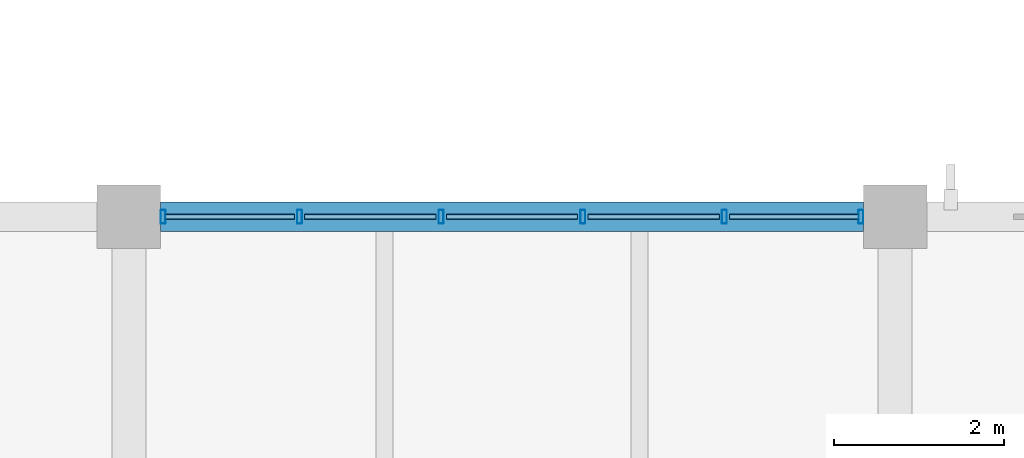
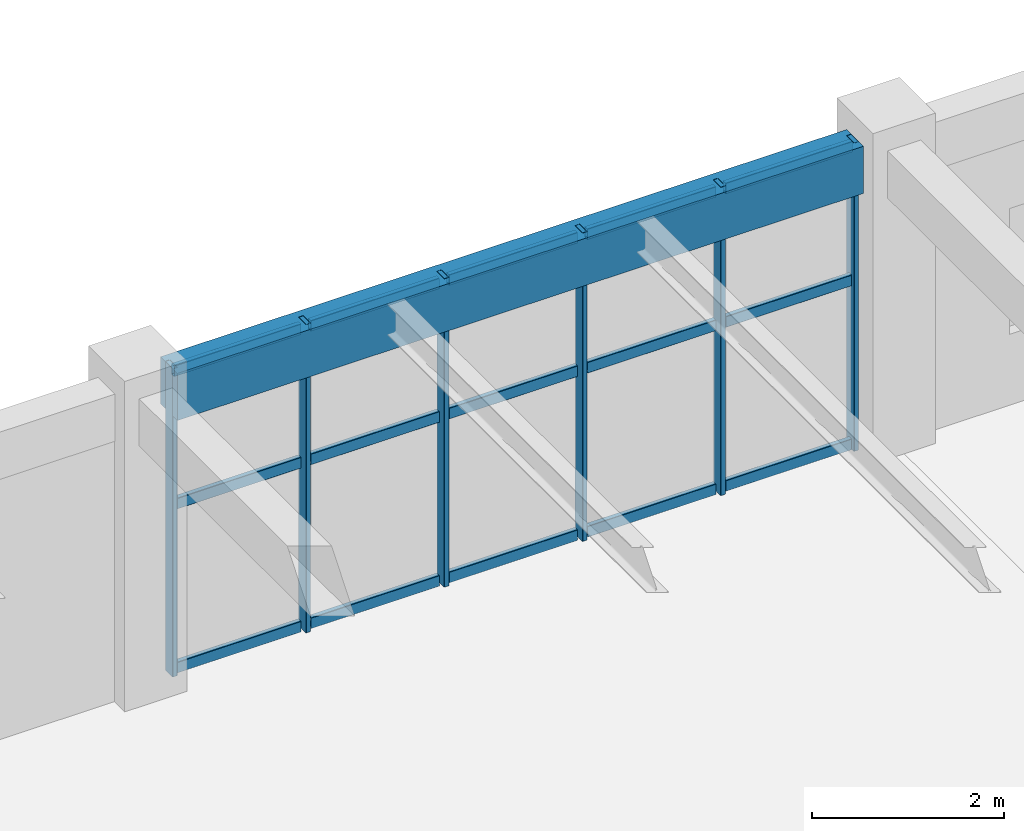
# One storey, part 110 of 148: 21 members, 1 beam, 1 element without a shape of its own.
"""IFC4 building model written with IfcOpenShell, lengths in metres."""

from ifc_helpers import new_model, si_unit, derived_unit, direction, frame, origin, origin_2d, place, context, subcontext, project, spatial, rectangle, hollow_rectangle, extrude, material, material_profile, profile_set, type_object, element, aggregate, save


model = new_model("IFC4")

# Units and contexts
model_context = context("Model", 3, precision=1e-05, world=origin(), true_north=direction((0.0, 1.0)))
body_context = subcontext(model_context, "Body", "Model", "MODEL_VIEW")
ifc_project = project(units=[si_unit("LENGTHUNIT", "METRE"), si_unit("AREAUNIT", "SQUARE_METRE"), si_unit("VOLUMEUNIT", "CUBIC_METRE"), si_unit("PLANEANGLEUNIT", "RADIAN"), si_unit("MASSUNIT", "GRAM", prefix="KILO"), derived_unit("THERMALTRANSMITTANCEUNIT", [(si_unit("MASSUNIT", "GRAM", prefix="KILO"), 1), (si_unit("TIMEUNIT", "SECOND"), -3), (si_unit("THERMODYNAMICTEMPERATUREUNIT", "KELVIN"), -1)])], contexts=[model_context])

# Site, building, storey
site_placement = place(None, origin())
site = spatial("IfcSite", under=ifc_project, at=site_placement, CompositionType="ELEMENT")
building_placement = place(site_placement, origin())
building = spatial("IfcBuilding", under=site, at=building_placement, Name="Zhenchuan Archway Interchange", CompositionType="ELEMENT")
storey_placement = place(building_placement, frame((0.0, 0.0, 10.199951171875)))
storey = spatial("IfcBuildingStorey", under=building, at=storey_placement, Name="L02", CompositionType="ELEMENT", Elevation=10.199951171875)

# Curtain wall, members
ifc_material_1 = material(Name="Anodised Aluminium", Category="aluminium")
curtain_wall_type = type_object("IfcCurtainWallType", Name="CW_UNIT_2", PredefinedType="NOTDEFINED", material=ifc_material_1)
curtain_wall_placement = place(storey_placement, origin())
curtain_wall = element("IfcCurtainWall", 1, at=curtain_wall_placement, inside=storey, type_object=curtain_wall_type, Name="Unitised curtain wall CW:L02:149", PredefinedType="NOTDEFINED")
ifc_material_profile_1 = material_profile(ifc_material_1, hollow_rectangle(XDim=0.06005859375, YDim=0.159912109375, WallThickness=0.00390625, InnerFilletRadius=0.00390625, OuterFilletRadius=0.008056640625, at=origin_2d()), Name="ALU 160x60x4")
ifc_profile_set_1 = profile_set([ifc_material_profile_1], Name="Anodised Aluminium")
member_type_1 = type_object("IfcMemberType", Name="CW_MUL_150", PredefinedType="MULLION", material=ifc_profile_set_1)
member_1_placement = place(storey_placement, frame((135.403076171875, 104.0, 0.0), z_axis=(0.0, 0.0, 1.0), x_axis=(1.0, 0.0, 0.0)))
member_1 = element("IfcMember", 2, at=member_1_placement, type_object=member_type_1, Name="CW:L02:149 mullion 0", PredefinedType="MULLION", context=body_context, shape_type="SweptSolid", body=[
    extrude(hollow_rectangle(XDim=0.06005859375, YDim=0.159912109375, WallThickness=0.00390625, InnerFilletRadius=0.00390625, OuterFilletRadius=0.008056640625, at=origin_2d()), origin(), (0.0, 0.0, 1.0), 3.920166015625),
])
member_2_placement = place(storey_placement, frame((137.005859375, 104.0, 0.0), z_axis=(0.0, 0.0, 1.0), x_axis=(1.0, 0.0, 0.0)))
member_2 = element("IfcMember", 3, at=member_2_placement, type_object=member_type_1, Name="CW:L02:149 mullion 1", PredefinedType="MULLION", context=body_context, shape_type="SweptSolid", body=[
    extrude(hollow_rectangle(XDim=0.06005859375, YDim=0.159912109375, WallThickness=0.00390625, InnerFilletRadius=0.00390625, OuterFilletRadius=0.008056640625, at=origin_2d()), origin(), (0.0, 0.0, 1.0), 3.920166015625),
])
member_3_placement = place(storey_placement, frame((138.668701171875, 104.0, 0.0), z_axis=(0.0, 0.0, 1.0), x_axis=(1.0, 0.0, 0.0)))
member_3 = element("IfcMember", 4, at=member_3_placement, type_object=member_type_1, Name="CW:L02:149 mullion 2", PredefinedType="MULLION", context=body_context, shape_type="SweptSolid", body=[
    extrude(hollow_rectangle(XDim=0.06005859375, YDim=0.159912109375, WallThickness=0.00390625, InnerFilletRadius=0.00390625, OuterFilletRadius=0.008056640625, at=origin_2d()), origin(), (0.0, 0.0, 1.0), 3.920166015625),
])
member_4_placement = place(storey_placement, frame((140.331298828125, 104.0, 0.0), z_axis=(0.0, 0.0, 1.0), x_axis=(1.0, 0.0, 0.0)))
member_4 = element("IfcMember", 5, at=member_4_placement, type_object=member_type_1, Name="CW:L02:149 mullion 3", PredefinedType="MULLION", context=body_context, shape_type="SweptSolid", body=[
    extrude(hollow_rectangle(XDim=0.06005859375, YDim=0.159912109375, WallThickness=0.00390625, InnerFilletRadius=0.00390625, OuterFilletRadius=0.008056640625, at=origin_2d()), origin(), (0.0, 0.0, 1.0), 3.920166015625),
])
member_5_placement = place(storey_placement, frame((141.994140625, 104.0, 0.0), z_axis=(0.0, 0.0, 1.0), x_axis=(1.0, 0.0, 0.0)))
member_5 = element("IfcMember", 6, at=member_5_placement, type_object=member_type_1, Name="CW:L02:149 mullion 4", PredefinedType="MULLION", context=body_context, shape_type="SweptSolid", body=[
    extrude(hollow_rectangle(XDim=0.06005859375, YDim=0.159912109375, WallThickness=0.00390625, InnerFilletRadius=0.00390625, OuterFilletRadius=0.008056640625, at=origin_2d()), origin(), (0.0, 0.0, 1.0), 3.920166015625),
])
member_6_placement = place(storey_placement, frame((143.596923828125, 104.0, 0.0), z_axis=(0.0, 0.0, 1.0), x_axis=(1.0, 0.0, 0.0)))
member_6 = element("IfcMember", 7, at=member_6_placement, type_object=member_type_1, Name="CW:L02:149 mullion 5", PredefinedType="MULLION", context=body_context, shape_type="SweptSolid", body=[
    extrude(hollow_rectangle(XDim=0.06005859375, YDim=0.159912109375, WallThickness=0.00390625, InnerFilletRadius=0.00390625, OuterFilletRadius=0.008056640625, at=origin_2d()), origin(), (0.0, 0.0, 1.0), 3.920166015625),
])
ifc_material_profile_2 = material_profile(ifc_material_1, hollow_rectangle(XDim=0.06005859375, YDim=0.139892578125, WallThickness=0.00341796875, InnerFilletRadius=0.00341796875, OuterFilletRadius=0.007080078125, at=origin_2d()), Name="ALU 140x60x3.5")
ifc_profile_set_2 = profile_set([ifc_material_profile_2], Name="Anodised Aluminium")
member_type_2 = type_object("IfcMemberType", Name="CW_TRN_140", PredefinedType="USERDEFINED", material=ifc_profile_set_2)
member_7_placement = place(storey_placement, frame((135.423095703125, 104.0, 0.06005859375), z_axis=(1.0, 0.0, 0.0), x_axis=(0.0, 1.0, 0.0)))
member_7 = element("IfcMember", 8, at=member_7_placement, type_object=member_type_2, Name="CW:L02:149 transom 0-1", ObjectType="TRANSOM", PredefinedType="USERDEFINED", context=body_context, shape_type="SweptSolid", body=[
    extrude(hollow_rectangle(XDim=0.06005859375, YDim=0.139892578125, WallThickness=0.00341796875, InnerFilletRadius=0.00341796875, OuterFilletRadius=0.007080078125, at=origin_2d()), origin(), (0.0, 0.0, 1.0), 1.522705078125),
])
member_8_placement = place(storey_placement, frame((135.423095703125, 104.0, 2.14501953125), z_axis=(1.0, 0.0, 0.0), x_axis=(0.0, 1.0, 0.0)))
member_8 = element("IfcMember", 9, at=member_8_placement, type_object=member_type_2, Name="CW:L02:149 transom 0-2", ObjectType="TRANSOM", PredefinedType="USERDEFINED", context=body_context, shape_type="SweptSolid", body=[
    extrude(hollow_rectangle(XDim=0.06005859375, YDim=0.139892578125, WallThickness=0.00341796875, InnerFilletRadius=0.00341796875, OuterFilletRadius=0.007080078125, at=origin_2d()), origin(), (0.0, 0.0, 1.0), 1.522705078125),
])
member_9_placement = place(storey_placement, frame((135.423095703125, 104.0, 3.840087890625), z_axis=(1.0, 0.0, 0.0), x_axis=(0.0, 1.0, 0.0)))
member_9 = element("IfcMember", 10, at=member_9_placement, type_object=member_type_2, Name="CW:L02:149 transom 0-3", ObjectType="TRANSOM", PredefinedType="USERDEFINED", context=body_context, shape_type="SweptSolid", body=[
    extrude(hollow_rectangle(XDim=0.06005859375, YDim=0.139892578125, WallThickness=0.00341796875, InnerFilletRadius=0.00341796875, OuterFilletRadius=0.007080078125, at=origin_2d()), origin(), (0.0, 0.0, 1.0), 1.522705078125),
])
member_10_placement = place(storey_placement, frame((137.06591796875, 104.0, 0.06005859375), z_axis=(1.0, 0.0, 0.0), x_axis=(0.0, 1.0, 0.0)))
member_10 = element("IfcMember", 11, at=member_10_placement, type_object=member_type_2, Name="CW:L02:149 transom 1-1", ObjectType="TRANSOM", PredefinedType="USERDEFINED", context=body_context, shape_type="SweptSolid", body=[
    extrude(hollow_rectangle(XDim=0.06005859375, YDim=0.139892578125, WallThickness=0.00341796875, InnerFilletRadius=0.00341796875, OuterFilletRadius=0.007080078125, at=origin_2d()), origin(), (0.0, 0.0, 1.0), 1.542724609375),
])
member_11_placement = place(storey_placement, frame((137.06591796875, 104.0, 2.14501953125), z_axis=(1.0, 0.0, 0.0), x_axis=(0.0, 1.0, 0.0)))
member_11 = element("IfcMember", 12, at=member_11_placement, type_object=member_type_2, Name="CW:L02:149 transom 1-2", ObjectType="TRANSOM", PredefinedType="USERDEFINED", context=body_context, shape_type="SweptSolid", body=[
    extrude(hollow_rectangle(XDim=0.06005859375, YDim=0.139892578125, WallThickness=0.00341796875, InnerFilletRadius=0.00341796875, OuterFilletRadius=0.007080078125, at=origin_2d()), origin(), (0.0, 0.0, 1.0), 1.542724609375),
])
member_12_placement = place(storey_placement, frame((137.06591796875, 104.0, 3.840087890625), z_axis=(1.0, 0.0, 0.0), x_axis=(0.0, 1.0, 0.0)))
member_12 = element("IfcMember", 13, at=member_12_placement, type_object=member_type_2, Name="CW:L02:149 transom 1-3", ObjectType="TRANSOM", PredefinedType="USERDEFINED", context=body_context, shape_type="SweptSolid", body=[
    extrude(hollow_rectangle(XDim=0.06005859375, YDim=0.139892578125, WallThickness=0.00341796875, InnerFilletRadius=0.00341796875, OuterFilletRadius=0.007080078125, at=origin_2d()), origin(), (0.0, 0.0, 1.0), 1.542724609375),
])
member_13_placement = place(storey_placement, frame((138.728515625, 104.0, 0.06005859375), z_axis=(1.0, 0.0, 0.0), x_axis=(0.0, 1.0, 0.0)))
member_13 = element("IfcMember", 14, at=member_13_placement, type_object=member_type_2, Name="CW:L02:149 transom 2-1", ObjectType="TRANSOM", PredefinedType="USERDEFINED", context=body_context, shape_type="SweptSolid", body=[
    extrude(hollow_rectangle(XDim=0.06005859375, YDim=0.139892578125, WallThickness=0.00341796875, InnerFilletRadius=0.00341796875, OuterFilletRadius=0.007080078125, at=origin_2d()), origin(), (0.0, 0.0, 1.0), 1.54296875),
])
member_14_placement = place(storey_placement, frame((138.728515625, 104.0, 2.14501953125), z_axis=(1.0, 0.0, 0.0), x_axis=(0.0, 1.0, 0.0)))
member_14 = element("IfcMember", 15, at=member_14_placement, type_object=member_type_2, Name="CW:L02:149 transom 2-2", ObjectType="TRANSOM", PredefinedType="USERDEFINED", context=body_context, shape_type="SweptSolid", body=[
    extrude(hollow_rectangle(XDim=0.06005859375, YDim=0.139892578125, WallThickness=0.00341796875, InnerFilletRadius=0.00341796875, OuterFilletRadius=0.007080078125, at=origin_2d()), origin(), (0.0, 0.0, 1.0), 1.54296875),
])
member_15_placement = place(storey_placement, frame((138.728515625, 104.0, 3.840087890625), z_axis=(1.0, 0.0, 0.0), x_axis=(0.0, 1.0, 0.0)))
member_15 = element("IfcMember", 16, at=member_15_placement, type_object=member_type_2, Name="CW:L02:149 transom 2-3", ObjectType="TRANSOM", PredefinedType="USERDEFINED", context=body_context, shape_type="SweptSolid", body=[
    extrude(hollow_rectangle(XDim=0.06005859375, YDim=0.139892578125, WallThickness=0.00341796875, InnerFilletRadius=0.00341796875, OuterFilletRadius=0.007080078125, at=origin_2d()), origin(), (0.0, 0.0, 1.0), 1.54296875),
])
member_16_placement = place(storey_placement, frame((140.391357421875, 104.0, 0.06005859375), z_axis=(1.0, 0.0, 0.0), x_axis=(0.0, 1.0, 0.0)))
member_16 = element("IfcMember", 17, at=member_16_placement, type_object=member_type_2, Name="CW:L02:149 transom 3-1", ObjectType="TRANSOM", PredefinedType="USERDEFINED", context=body_context, shape_type="SweptSolid", body=[
    extrude(hollow_rectangle(XDim=0.06005859375, YDim=0.139892578125, WallThickness=0.00341796875, InnerFilletRadius=0.00341796875, OuterFilletRadius=0.007080078125, at=origin_2d()), origin(), (0.0, 0.0, 1.0), 1.542724609375),
])
member_17_placement = place(storey_placement, frame((140.391357421875, 104.0, 2.14501953125), z_axis=(1.0, 0.0, 0.0), x_axis=(0.0, 1.0, 0.0)))
member_17 = element("IfcMember", 18, at=member_17_placement, type_object=member_type_2, Name="CW:L02:149 transom 3-2", ObjectType="TRANSOM", PredefinedType="USERDEFINED", context=body_context, shape_type="SweptSolid", body=[
    extrude(hollow_rectangle(XDim=0.06005859375, YDim=0.139892578125, WallThickness=0.00341796875, InnerFilletRadius=0.00341796875, OuterFilletRadius=0.007080078125, at=origin_2d()), origin(), (0.0, 0.0, 1.0), 1.542724609375),
])
member_18_placement = place(storey_placement, frame((140.391357421875, 104.0, 3.840087890625), z_axis=(1.0, 0.0, 0.0), x_axis=(0.0, 1.0, 0.0)))
member_18 = element("IfcMember", 19, at=member_18_placement, type_object=member_type_2, Name="CW:L02:149 transom 3-3", ObjectType="TRANSOM", PredefinedType="USERDEFINED", context=body_context, shape_type="SweptSolid", body=[
    extrude(hollow_rectangle(XDim=0.06005859375, YDim=0.139892578125, WallThickness=0.00341796875, InnerFilletRadius=0.00341796875, OuterFilletRadius=0.007080078125, at=origin_2d()), origin(), (0.0, 0.0, 1.0), 1.542724609375),
])
member_19_placement = place(storey_placement, frame((142.05419921875, 104.0, 0.06005859375), z_axis=(1.0, 0.0, 0.0), x_axis=(0.0, 1.0, 0.0)))
member_19 = element("IfcMember", 20, at=member_19_placement, type_object=member_type_2, Name="CW:L02:149 transom 4-1", ObjectType="TRANSOM", PredefinedType="USERDEFINED", context=body_context, shape_type="SweptSolid", body=[
    extrude(hollow_rectangle(XDim=0.06005859375, YDim=0.139892578125, WallThickness=0.00341796875, InnerFilletRadius=0.00341796875, OuterFilletRadius=0.007080078125, at=origin_2d()), origin(), (0.0, 0.0, 1.0), 1.522705078125),
])
member_20_placement = place(storey_placement, frame((142.05419921875, 104.0, 2.14501953125), z_axis=(1.0, 0.0, 0.0), x_axis=(0.0, 1.0, 0.0)))
member_20 = element("IfcMember", 21, at=member_20_placement, type_object=member_type_2, Name="CW:L02:149 transom 4-2", ObjectType="TRANSOM", PredefinedType="USERDEFINED", context=body_context, shape_type="SweptSolid", body=[
    extrude(hollow_rectangle(XDim=0.06005859375, YDim=0.139892578125, WallThickness=0.00341796875, InnerFilletRadius=0.00341796875, OuterFilletRadius=0.007080078125, at=origin_2d()), origin(), (0.0, 0.0, 1.0), 1.522705078125),
])
member_21_placement = place(storey_placement, frame((142.05419921875, 104.0, 3.840087890625), z_axis=(1.0, 0.0, 0.0), x_axis=(0.0, 1.0, 0.0)))
member_21 = element("IfcMember", 22, at=member_21_placement, type_object=member_type_2, Name="CW:L02:149 transom 4-3", ObjectType="TRANSOM", PredefinedType="USERDEFINED", context=body_context, shape_type="SweptSolid", body=[
    extrude(hollow_rectangle(XDim=0.06005859375, YDim=0.139892578125, WallThickness=0.00341796875, InnerFilletRadius=0.00341796875, OuterFilletRadius=0.007080078125, at=origin_2d()), origin(), (0.0, 0.0, 1.0), 1.522705078125),
])
aggregate(curtain_wall, [member_1, member_2, member_3, member_4, member_5, member_6, member_7, member_8, member_9, member_10, member_11, member_12, member_13, member_14, member_15, member_16, member_17, member_18, member_19, member_20, member_21])

# Beam
ifc_material_2 = material(Name="Concrete C40", Category="concrete")
ifc_material_profile_3 = material_profile(ifc_material_2, rectangle(XDim=0.35009765625, YDim=0.60009765625, at=origin_2d()), Name="RC 350x600")
ifc_profile_set_3 = profile_set([ifc_material_profile_3], Name="Concrete C40")
beam_type = type_object("IfcBeamType", Name="SP_RC_350x600", PredefinedType="SPANDREL", material=ifc_profile_set_3)
beam_placement = place(storey_placement, frame((135.375, 104.0, 3.6201171875), z_axis=(1.0, 0.0, 0.0), x_axis=(0.0, 1.0, 0.0)))
element("IfcBeam", 23, at=beam_placement, inside=storey, type_object=beam_type, Name="Beam O:16-17 (L02)", PredefinedType="SPANDREL", context=body_context, shape_type="SweptSolid", body=[
    extrude(rectangle(XDim=0.35009765625, YDim=0.60009765625, at=origin_2d()), origin(), (0.0, 0.0, 1.0), 8.25),
])

save(model, "model.ifc")
